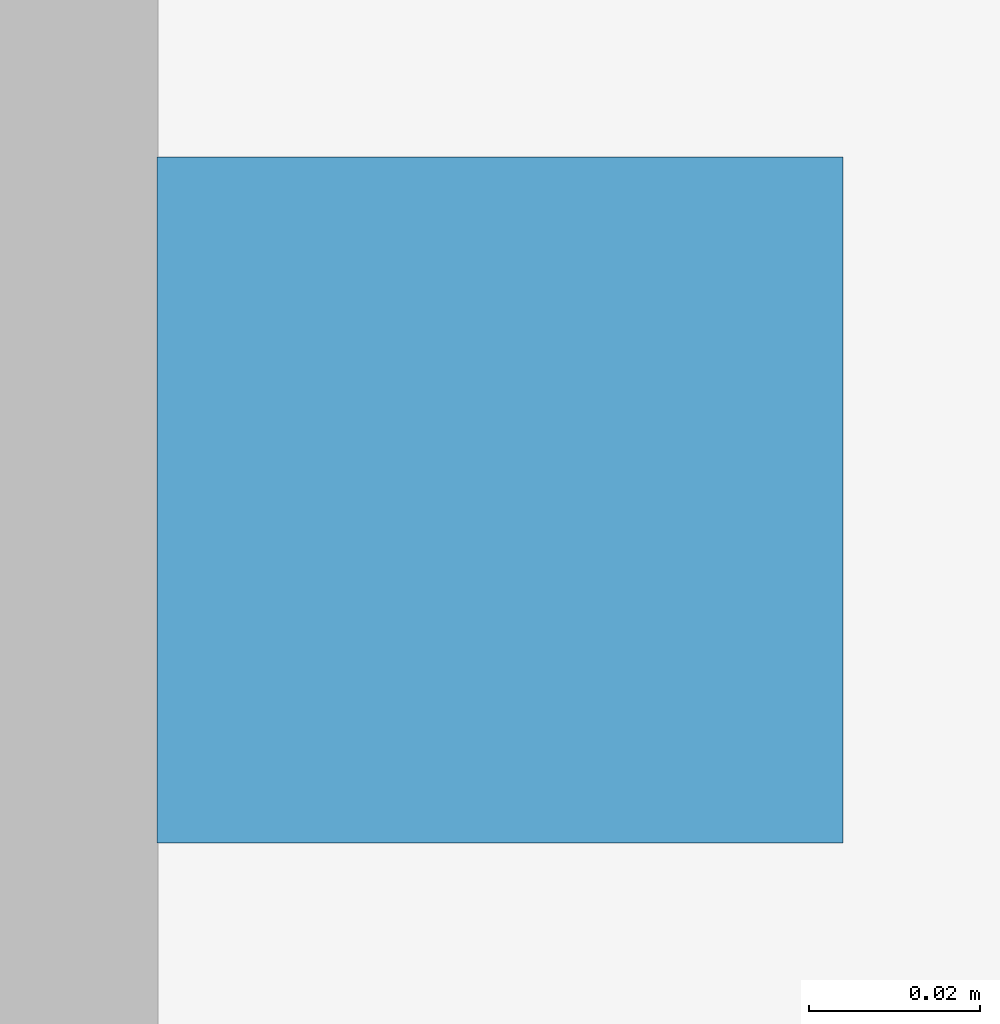
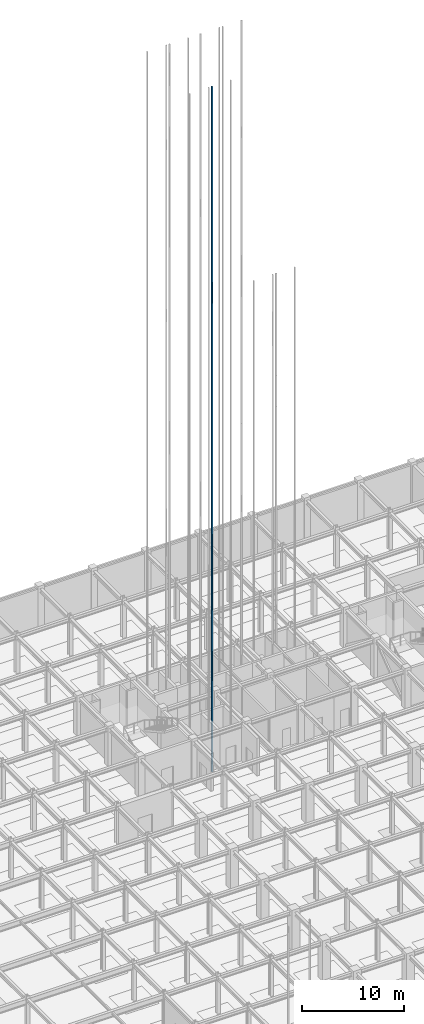
# One storey, part 54 of 69: 1 discrete accessory.
"""IFC4 building model written with IfcOpenShell, lengths in metres."""

from ifc_helpers import new_model, si_unit, direction, frame, origin, origin_2d, place, context, subcontext, project, spatial, rectangle, extrude, material, type_object, element, save


model = new_model("IFC4")

# Units and contexts
model_context = context("Model", 3, precision=1e-05, world=origin(), true_north=direction((0.0, 1.0)))
body_context = subcontext(model_context, "Body", "Model", "MODEL_VIEW")
ifc_project = project(units=[si_unit("LENGTHUNIT", "METRE"), si_unit("AREAUNIT", "SQUARE_METRE"), si_unit("VOLUMEUNIT", "CUBIC_METRE"), si_unit("PLANEANGLEUNIT", "RADIAN"), si_unit("MASSUNIT", "GRAM", prefix="KILO")], contexts=[model_context])

# Site, building, storey
site_placement = place(None, origin())
site = spatial("IfcSite", under=ifc_project, at=site_placement, CompositionType="ELEMENT")
building_placement = place(site_placement, origin())
building = spatial("IfcBuilding", under=site, at=building_placement, Name="Zlatovratsky Civic Hall", CompositionType="ELEMENT")
storey_placement = place(building_placement, frame((0.0, 0.0, -4.800048828125)))
storey = spatial("IfcBuildingStorey", under=building, at=storey_placement, Name="B1", CompositionType="ELEMENT", Elevation=-4.800048828125)

# Discrete accessory
ifc_material = material(Name="Steel S355", Category="steel")
discrete_accessory_type = type_object("IfcDiscreteAccessoryType", Name="Lift_GuideRail", PredefinedType="USERDEFINED", material=ifc_material)
discrete_accessory_placement = place(storey_placement, frame((75.18994140625, 85.85009765625, -1.60009765625), z_axis=(0.0, 0.0, 1.0), x_axis=(1.0, 0.0, 0.0)))
element("IfcDiscreteAccessory", 1, at=discrete_accessory_placement, inside=storey, type_object=discrete_accessory_type, Name="Lift Guide Rail LF-02 L", ObjectType="GUIDE RAIL", PredefinedType="USERDEFINED", context=body_context, shape_type="SweptSolid", body=[
    extrude(rectangle(XDim=0.080078125, YDim=0.080078125, at=origin_2d()), origin(), (0.0, 0.0, 1.0), 81.60009765625),
])

save(model, "model.ifc")
